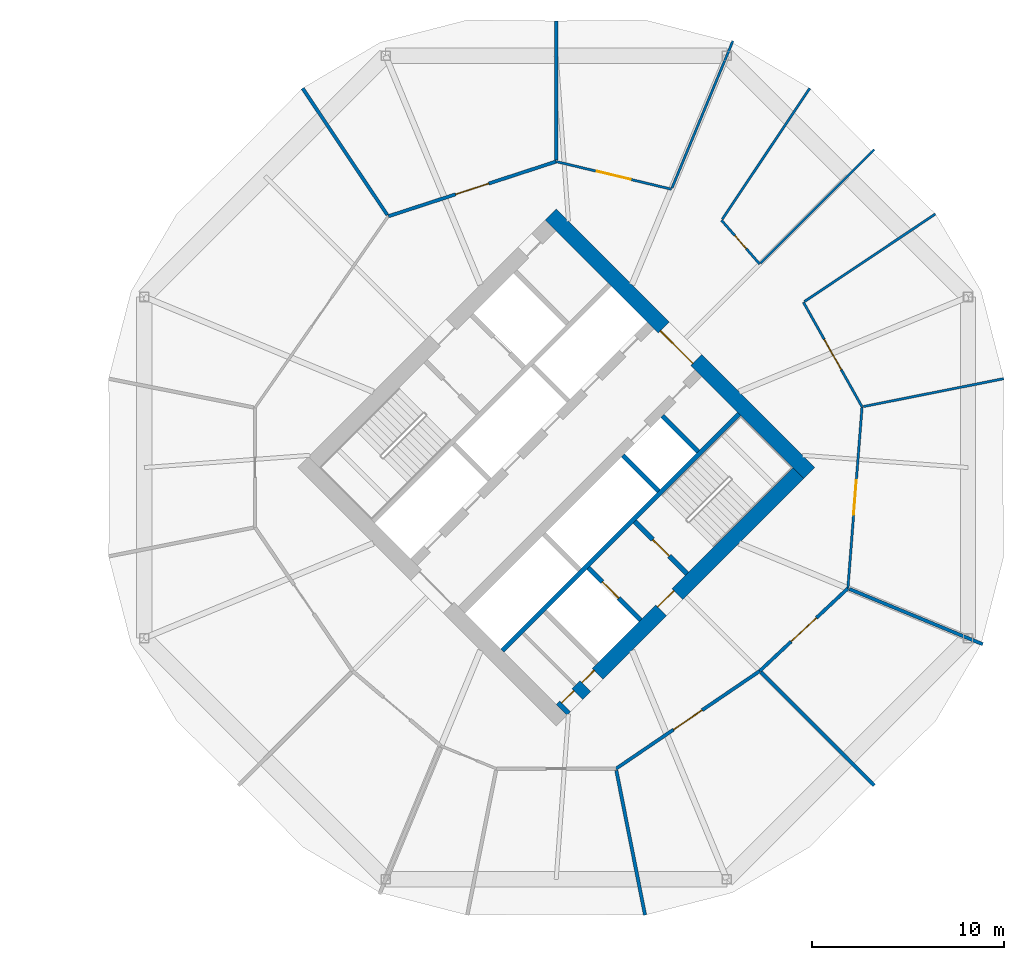
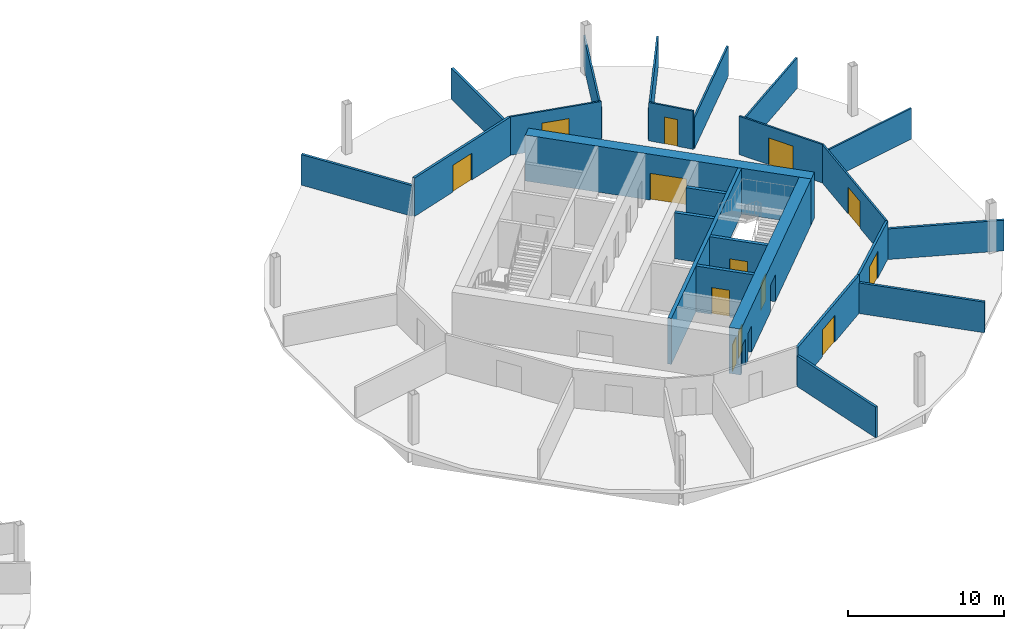
# One storey, part 8 of 10: 24 walls, 13 doors, 13 openings.
"""IFC4 building model written with IfcOpenShell, lengths in metres."""

from ifc_helpers import new_model, si_unit, direction, frame, frame_2d, origin, place, context, subcontext, project, spatial, rectangle, extrude, material, layer, layer_set, type_object, element, fill, save


model = new_model("IFC4")

# Units and contexts
model_context = context("Model", 3, precision=1e-05, world=origin(), true_north=direction((0.0, 1.0)))
body_context = subcontext(model_context, "Body", "Model", "MODEL_VIEW")
ifc_project = project(units=[si_unit("LENGTHUNIT", "METRE"), si_unit("AREAUNIT", "SQUARE_METRE"), si_unit("VOLUMEUNIT", "CUBIC_METRE"), si_unit("PLANEANGLEUNIT", "RADIAN"), si_unit("MASSUNIT", "GRAM", prefix="KILO")], contexts=[model_context])

# Site, building, storey
site_placement = place(None, origin())
site = spatial("IfcSite", under=ifc_project, at=site_placement, CompositionType="ELEMENT")
building_placement = place(site_placement, origin())
building = spatial("IfcBuilding", under=site, at=building_placement, Name="Ogive Gate Towers", CompositionType="ELEMENT")
storey_placement = place(building_placement, frame((0.0, 0.0, 103.5)))
storey = spatial("IfcBuildingStorey", under=building, at=storey_placement, Name="L24", CompositionType="ELEMENT", Elevation=103.5)

# Walls
ifc_material_1 = material(Name="Gypsum board acoustic partition")
ifc_layer_1 = layer(ifc_material_1, 0.175048828125)
ifc_layer_set_1 = layer_set([ifc_layer_1], Name="Acoustic partition 175")
wall_type_1 = type_object("IfcWallType", Name="Acoustic partition 175", PredefinedType="PARTITIONING", material=ifc_layer_set_1)
wall_1_placement = place(storey_placement, frame((36.0, 23.208984375, 0.0), z_axis=(0.0, 0.0, 1.0), x_axis=(0.0, -1.0, 0.0)))
element("IfcWall", 1, at=wall_1_placement, inside=storey, type_object=wall_type_1, Name="Partition T2-L24-006", PredefinedType="PARTITIONING", context=body_context, shape_type="SweptSolid", body=[
    extrude(rectangle(XDim=7.221435546875, YDim=0.175048828125, at=frame_2d((3.61083984375, 0.0))), origin(), (0.0, 0.0, 1.0), 2.39990234375),
])
wall_2_placement = place(storey_placement, frame((22.8212890625, 19.709716796875, 0.0), z_axis=(0.0, 0.0, 1.0), x_axis=(0.555845146473, -0.831285855252, 0.0)))
element("IfcWall", 2, at=wall_2_placement, inside=storey, type_object=wall_type_1, Name="Partition T2-L24-007", PredefinedType="PARTITIONING", context=body_context, shape_type="SweptSolid", body=[
    extrude(rectangle(XDim=7.918701171875, YDim=0.175048828125, at=frame_2d((3.95947265625, 0.0))), origin(), (0.0, 0.0, 1.0), 2.39990234375),
])
wall_3_placement = place(storey_placement, frame((40.6181640625, -23.25537109375, 0.0), z_axis=(0.0, 0.0, 1.0), x_axis=(-0.1947751492, 0.980847919534, 0.0)))
element("IfcWall", 3, at=wall_3_placement, inside=storey, type_object=wall_type_1, Name="Partition T2-L24-013", PredefinedType="PARTITIONING", context=body_context, shape_type="SweptSolid", body=[
    extrude(rectangle(XDim=7.668701171875, YDim=0.175048828125, at=frame_2d((3.83447265625, 0.0))), origin(), (0.0, 0.0, 1.0), 2.39990234375),
])
wall_4_placement = place(storey_placement, frame((52.521240234375, -16.521240234375, 0.0), z_axis=(0.0, 0.0, 1.0), x_axis=(-0.707106781187, 0.707106781187, 0.0)))
element("IfcWall", 4, at=wall_4_placement, inside=storey, type_object=wall_type_1, Name="Partition T2-L24-014", PredefinedType="PARTITIONING", context=body_context, shape_type="SweptSolid", body=[
    extrude(rectangle(XDim=8.323974609375, YDim=0.175048828125, at=frame_2d((4.162109375, 0.0))), origin(), (0.0, 0.0, 1.0), 2.39990234375),
])
wall_5_placement = place(storey_placement, frame((58.1669921875, -9.181884765625, 0.0), z_axis=(0.0, 0.0, 1.0), x_axis=(-0.923880784605, 0.382680409531, 0.0)))
element("IfcWall", 5, at=wall_5_placement, inside=storey, type_object=wall_type_1, Name="Partition T2-L24-015", PredefinedType="PARTITIONING", context=body_context, shape_type="SweptSolid", body=[
    extrude(rectangle(XDim=7.501953125, YDim=0.175048828125, at=frame_2d((3.7509765625, 0.0))), origin(), (0.0, 0.0, 1.0), 2.39990234375),
])

# Wall, opening, door
wall_6_placement = place(storey_placement, frame((36.0, 15.89990234375, 0.0), z_axis=(0.0, 0.0, 1.0), x_axis=(-0.950747558922, -0.309966254945, 0.0)))
wall_6 = element("IfcWall", 6, at=wall_6_placement, inside=storey, type_object=wall_type_1, Name="Partition T2-L24-018", PredefinedType="PARTITIONING", context=body_context, shape_type="SweptSolid", body=[
    extrude(rectangle(XDim=9.1806640625, YDim=0.175048828125, at=frame_2d((4.59033203125, 0.0))), origin(), (0.0, 0.0, 1.0), 3.010009765625),
])
opening_1_placement = place(wall_6_placement, frame((3.68994140625, 0.0, 0.0)))
opening_1 = element("IfcOpeningElement", 7, at=opening_1_placement, cuts=wall_6, Name="Opening T2-L24-D03", PredefinedType="OPENING", context=body_context, shape_type="SweptSolid", body=[
    extrude(rectangle(XDim=1.800048828125, YDim=2.10009765625, at=frame_2d((0.89990234375, 1.050048828125))), frame((0.0, 0.09765625, 0.0), z_axis=(0.0, -1.0, 0.0), x_axis=(1.0, 0.0, 0.0)), (0.0, 0.0, 1.0), 0.195068359375),
])
ifc_material_2 = material(Name="Timber door", Category="wood")
door_type_1 = type_object("IfcDoorType", Name="Door pair 1800", OperationType="NOTDEFINED", PredefinedType="DOOR", material=ifc_material_2)
door_1_placement = place(opening_1_placement, origin())
door_1 = element("IfcDoor", 8, at=door_1_placement, inside=storey, type_object=door_type_1, Name="Door T2-L24-D03", OperationType="DOUBLE_DOOR_DOUBLE_SWING", OverallHeight=2.10009765625, OverallWidth=1.800048828125, PredefinedType="DOOR", context=body_context, shape_type="SweptSolid", body=[
    extrude(rectangle(XDim=1.800048828125, YDim=2.10009765625, at=frame_2d((0.89990234375, 1.050048828125))), frame((0.0, 0.02490234375, 0.0), z_axis=(0.0, -1.0, 0.0), x_axis=(1.0, 0.0, 0.0)), (0.0, 0.0, 1.0), 0.050048828125),
])
fill(opening_1, door_1)

wall_7_placement = place(storey_placement, frame((39.107421875, -15.64794921875, 0.0), z_axis=(0.0, 0.0, 1.0), x_axis=(0.827053241882, 0.562123594144, 0.0)))
wall_7 = element("IfcWall", 9, at=wall_7_placement, inside=storey, type_object=wall_type_1, Name="Partition T2-L24-025", PredefinedType="PARTITIONING", context=body_context, shape_type="SweptSolid", body=[
    extrude(rectangle(XDim=9.02734375, YDim=0.175048828125, at=frame_2d((4.513671875, 0.0))), origin(), (0.0, 0.0, 1.0), 3.0),
])
opening_2_placement = place(wall_7_placement, frame((3.614013671875, 0.0, 0.0)))
opening_2 = element("IfcOpeningElement", 10, at=opening_2_placement, cuts=wall_7, Name="Opening T2-L24-D10", PredefinedType="OPENING", context=body_context, shape_type="SweptSolid", body=[
    extrude(rectangle(XDim=1.800048828125, YDim=2.10009765625, at=frame_2d((0.89990234375, 1.050048828125))), frame((0.0, 0.09765625, 0.0), z_axis=(0.0, -1.0, 0.0), x_axis=(1.0, 0.0, 0.0)), (0.0, 0.0, 1.0), 0.195068359375),
])
door_2_placement = place(opening_2_placement, origin())
door_2 = element("IfcDoor", 11, at=door_2_placement, inside=storey, type_object=door_type_1, Name="Door T2-L24-D10", OperationType="DOUBLE_DOOR_DOUBLE_SWING", OverallHeight=2.10009765625, OverallWidth=1.800048828125, PredefinedType="DOOR", context=body_context, shape_type="SweptSolid", body=[
    extrude(rectangle(XDim=1.800048828125, YDim=2.10009765625, at=frame_2d((0.89990234375, 1.050048828125))), frame((0.0, 0.02490234375, 0.0), z_axis=(0.0, -1.0, 0.0), x_axis=(1.0, 0.0, 0.0)), (0.0, 0.0, 1.0), 0.050048828125),
])
fill(opening_2, door_2)

wall_8_placement = place(storey_placement, frame((46.573486328125, -10.573486328125, 0.0), z_axis=(0.0, 0.0, 1.0), x_axis=(0.729499624655, 0.683981211458, 0.0)))
wall_8 = element("IfcWall", 12, at=wall_8_placement, inside=storey, type_object=wall_type_1, Name="Partition T2-L24-026", PredefinedType="PARTITIONING", context=body_context, shape_type="SweptSolid", body=[
    extrude(rectangle(XDim=6.28076171875, YDim=0.175048828125, at=frame_2d((3.140380859375, 0.0))), origin(), (0.0, 0.0, 1.0), 3.0),
])
opening_3_placement = place(wall_8_placement, frame((2.239990234375, 0.0, 0.0)))
opening_3 = element("IfcOpeningElement", 13, at=opening_3_placement, cuts=wall_8, Name="Opening T2-L24-D11", PredefinedType="OPENING", context=body_context, shape_type="SweptSolid", body=[
    extrude(rectangle(XDim=1.800048828125, YDim=2.10009765625, at=frame_2d((0.89990234375, 1.050048828125))), frame((0.0, 0.09765625, 0.0), z_axis=(0.0, -1.0, 0.0), x_axis=(1.0, 0.0, 0.0)), (0.0, 0.0, 1.0), 0.195068359375),
])
door_3_placement = place(opening_3_placement, origin())
door_3 = element("IfcDoor", 14, at=door_3_placement, inside=storey, type_object=door_type_1, Name="Door T2-L24-D11", OperationType="DOUBLE_DOOR_DOUBLE_SWING", OverallHeight=2.10009765625, OverallWidth=1.800048828125, PredefinedType="DOOR", context=body_context, shape_type="SweptSolid", body=[
    extrude(rectangle(XDim=1.800048828125, YDim=2.10009765625, at=frame_2d((0.89990234375, 1.050048828125))), frame((0.0, 0.02490234375, 0.0), z_axis=(0.0, -1.0, 0.0), x_axis=(1.0, 0.0, 0.0)), (0.0, 0.0, 1.0), 0.050048828125),
])
fill(opening_3, door_3)

# Wall, openings, doors
ifc_material_3 = material(Name="Concrete C60/75", Category="concrete")
ifc_layer_2 = layer(ifc_material_3, 0.800048828125)
ifc_layer_set_2 = layer_set([ifc_layer_2], Name="Core wall 800 mm")
wall_type_2 = type_object("IfcWallType", Name="Core wall 800 mm", PredefinedType="SHEAR", material=ifc_layer_set_2)
wall_9_placement = place(storey_placement, frame((36.28271484375, -12.58642578125, 0.0), z_axis=(0.0, 0.0, 1.0), x_axis=(0.707106781187, 0.707106781187, 0.0)))
wall_9 = element("IfcWall", 15, at=wall_9_placement, inside=storey, type_object=wall_type_2, Name="T2 L24 Core wall 800 mm", PredefinedType="SHEAR", context=body_context, shape_type="SweptSolid", body=[
    extrude(rectangle(XDim=17.400146484375, YDim=0.800048828125, at=frame_2d((8.7001953125, 0.0))), origin(), (0.0, 0.0, 1.0), 3.60009765625),
])
opening_4_placement = place(wall_9_placement, frame((7.300048828125, 0.0, 0.0)))
opening_4 = element("IfcOpeningElement", 16, at=opening_4_placement, cuts=wall_9, Name="Opening KD-T2-L24-16", PredefinedType="OPENING", context=body_context, shape_type="SweptSolid", body=[
    extrude(rectangle(XDim=1.199951171875, YDim=2.10009765625, at=frame_2d((0.60009765625, 1.050048828125))), frame((0.0, 0.41015625, 0.0), z_axis=(0.0, -1.0, 0.0), x_axis=(1.0, 0.0, 0.0)), (0.0, 0.0, 1.0), 0.820068359375),
])
opening_5_placement = place(wall_9_placement, frame((0.25, 0.0, 0.0)))
opening_5 = element("IfcOpeningElement", 17, at=opening_5_placement, cuts=wall_9, Name="Opening KD-T2-L24-18", PredefinedType="OPENING", context=body_context, shape_type="SweptSolid", body=[
    extrude(rectangle(XDim=0.89990234375, YDim=2.10009765625, at=frame_2d((0.449951171875, 1.050048828125))), frame((0.0, 0.41015625, 0.0), z_axis=(0.0, -1.0, 0.0), x_axis=(1.0, 0.0, 0.0)), (0.0, 0.0, 1.0), 0.820068359375),
])
opening_6_placement = place(wall_9_placement, frame((1.75, 0.0, 0.0)))
opening_6 = element("IfcOpeningElement", 18, at=opening_6_placement, cuts=wall_9, Name="Opening KD-T2-L24-19", PredefinedType="OPENING", context=body_context, shape_type="SweptSolid", body=[
    extrude(rectangle(XDim=0.89990234375, YDim=2.10009765625, at=frame_2d((0.449951171875, 1.050048828125))), frame((0.0, 0.41015625, 0.0), z_axis=(0.0, -1.0, 0.0), x_axis=(1.0, 0.0, 0.0)), (0.0, 0.0, 1.0), 0.820068359375),
])
door_type_2 = type_object("IfcDoorType", Name="Core WC door 900 x 2100", OperationType="NOTDEFINED", PredefinedType="DOOR", material=ifc_material_2)
door_4_placement = place(opening_5_placement, origin())
door_4 = element("IfcDoor", 19, at=door_4_placement, inside=storey, type_object=door_type_2, Name="T2 L24 Core door", OperationType="SINGLE_SWING_LEFT", OverallHeight=2.10009765625, OverallWidth=0.89990234375, PredefinedType="DOOR", context=body_context, shape_type="SweptSolid", body=[
    extrude(rectangle(XDim=0.89990234375, YDim=2.10009765625, at=frame_2d((0.449951171875, 1.050048828125))), frame((0.0, 0.27490234375, 0.0), z_axis=(0.0, -1.0, 0.0), x_axis=(1.0, 0.0, 0.0)), (0.0, 0.0, 1.0), 0.050048828125),
])
fill(opening_5, door_4)
door_5_placement = place(opening_6_placement, origin())
door_5 = element("IfcDoor", 20, at=door_5_placement, inside=storey, type_object=door_type_2, Name="T2 L24 Core door", OperationType="SINGLE_SWING_RIGHT", OverallHeight=2.10009765625, OverallWidth=0.89990234375, PredefinedType="DOOR", context=body_context, shape_type="SweptSolid", body=[
    extrude(rectangle(XDim=0.89990234375, YDim=2.10009765625, at=frame_2d((0.449951171875, 1.050048828125))), frame((0.0, 0.27490234375, 0.0), z_axis=(0.0, -1.0, 0.0), x_axis=(1.0, 0.0, 0.0)), (0.0, 0.0, 1.0), 0.050048828125),
])
fill(opening_6, door_5)
ifc_material_4 = material(Name="Steel fire door", Category="steel")
door_type_3 = type_object("IfcDoorType", Name="Core door FD60S 1200 x 2100", OperationType="NOTDEFINED", PredefinedType="DOOR", material=ifc_material_4)
door_6_placement = place(opening_4_placement, origin())
door_6 = element("IfcDoor", 21, at=door_6_placement, inside=storey, type_object=door_type_3, Name="T2 L24 Fire-fighting lobby door", OperationType="SINGLE_SWING_LEFT", OverallHeight=2.10009765625, OverallWidth=1.199951171875, PredefinedType="DOOR", context=body_context, shape_type="SweptSolid", body=[
    extrude(rectangle(XDim=1.199951171875, YDim=2.10009765625, at=frame_2d((0.60009765625, 1.050048828125))), frame((0.0, 0.27490234375, 0.0), z_axis=(0.0, -1.0, 0.0), x_axis=(1.0, 0.0, 0.0)), (0.0, 0.0, 1.0), 0.050048828125),
])
fill(opening_4, door_6)

# Wall, opening, door
wall_10_placement = place(storey_placement, frame((49.152099609375, -0.28271484375, 0.0), z_axis=(0.0, 0.0, 1.0), x_axis=(-0.707106781187, 0.707106781187, 0.0)))
wall_10 = element("IfcWall", 22, at=wall_10_placement, inside=storey, type_object=wall_type_2, Name="T2 L24 Core wall 800 mm", PredefinedType="SHEAR", context=body_context, shape_type="SweptSolid", body=[
    extrude(rectangle(XDim=18.999755859375, YDim=0.800048828125, at=frame_2d((9.5, 0.0))), origin(), (0.0, 0.0, 1.0), 3.60009765625),
])
opening_7_placement = place(wall_10_placement, frame((8.300048828125, 0.0, 0.0)))
opening_7 = element("IfcOpeningElement", 23, at=opening_7_placement, cuts=wall_10, Name="Opening KD-T2-L24-02", PredefinedType="OPENING", context=body_context, shape_type="SweptSolid", body=[
    extrude(rectangle(XDim=2.39990234375, YDim=2.10009765625, at=frame_2d((1.199951171875, 1.050048828125))), frame((0.0, 0.41015625, 0.0), z_axis=(0.0, -1.0, 0.0), x_axis=(1.0, 0.0, 0.0)), (0.0, 0.0, 1.0), 0.820068359375),
])
door_type_4 = type_object("IfcDoorType", Name="Core double door FD60S 2400 x 2100", OperationType="DOUBLE_DOOR_SINGLE_SWING", PredefinedType="DOOR", material=ifc_material_4)
door_7_placement = place(opening_7_placement, origin())
door_7 = element("IfcDoor", 24, at=door_7_placement, inside=storey, type_object=door_type_4, Name="T2 L24 Core door double", OperationType="DOUBLE_DOOR_SINGLE_SWING", OverallHeight=2.10009765625, OverallWidth=2.39990234375, PredefinedType="DOOR", context=body_context, shape_type="SweptSolid", body=[
    extrude(rectangle(XDim=2.39990234375, YDim=2.10009765625, at=frame_2d((1.199951171875, 1.050048828125))), frame((0.0, 0.27490234375, 0.0), z_axis=(0.0, -1.0, 0.0), x_axis=(1.0, 0.0, 0.0)), (0.0, 0.0, 1.0), 0.050048828125),
])
fill(opening_7, door_7)

# Walls
ifc_material_5 = material(Name="Gypsum board partition")
ifc_layer_3 = layer(ifc_material_5, 0.125)
ifc_layer_set_3 = layer_set([ifc_layer_3], Name="Partition 125")
wall_type_3 = type_object("IfcWallType", Name="Partition 125", PredefinedType="PARTITIONING", material=ifc_layer_set_3)
wall_11_placement = place(storey_placement, frame((59.25537109375, 4.6181640625, 0.0), z_axis=(0.0, 0.0, 1.0), x_axis=(-0.980844693546, -0.194791393913, 0.0)))
element("IfcWall", 25, at=wall_11_placement, inside=storey, type_object=wall_type_3, Name="Partition T2-L24-001", PredefinedType="PARTITIONING", context=body_context, shape_type="SweptSolid", body=[
    extrude(rectangle(XDim=7.443603515625, YDim=0.125, at=frame_2d((3.7216796875, 0.0))), origin(), (0.0, 0.0, 1.0), 2.39990234375),
])
wall_12_placement = place(storey_placement, frame((55.709716796875, 13.1787109375, 0.0), z_axis=(0.0, 0.0, 1.0), x_axis=(-0.831283969022, -0.555847967386, 0.0)))
element("IfcWall", 26, at=wall_12_placement, inside=storey, type_object=wall_type_3, Name="Partition T2-L24-002", PredefinedType="PARTITIONING", context=body_context, shape_type="SweptSolid", body=[
    extrude(rectangle(XDim=8.193603515625, YDim=0.125, at=frame_2d((4.0966796875, 0.0))), origin(), (0.0, 0.0, 1.0), 2.39990234375),
])
wall_13_placement = place(storey_placement, frame((52.521240234375, 16.521240234375, 0.0), z_axis=(0.0, 0.0, 1.0), x_axis=(-0.707106781187, -0.707106781187, 0.0)))
element("IfcWall", 27, at=wall_13_placement, inside=storey, type_object=wall_type_3, Name="Partition T2-L24-003", PredefinedType="PARTITIONING", context=body_context, shape_type="SweptSolid", body=[
    extrude(rectangle(XDim=8.348876953125, YDim=0.125, at=frame_2d((4.17431640625, 0.0))), origin(), (0.0, 0.0, 1.0), 2.39990234375),
])
wall_14_placement = place(storey_placement, frame((49.1787109375, 19.709716796875, 0.0), z_axis=(0.0, 0.0, 1.0), x_axis=(-0.555847967386, -0.831283969022, 0.0)))
element("IfcWall", 28, at=wall_14_placement, inside=storey, type_object=wall_type_3, Name="Partition T2-L24-004", PredefinedType="PARTITIONING", context=body_context, shape_type="SweptSolid", body=[
    extrude(rectangle(XDim=8.193603515625, YDim=0.125, at=frame_2d((4.0966796875, 0.0))), origin(), (0.0, 0.0, 1.0), 2.39990234375),
])
wall_15_placement = place(storey_placement, frame((45.181884765625, 22.1669921875, 0.0), z_axis=(0.0, 0.0, 1.0), x_axis=(-0.382683502843, -0.923879503318, 0.0)))
element("IfcWall", 29, at=wall_15_placement, inside=storey, type_object=wall_type_3, Name="Partition T2-L24-005", PredefinedType="PARTITIONING", context=body_context, shape_type="SweptSolid", body=[
    extrude(rectangle(XDim=8.277099609375, YDim=0.125, at=frame_2d((4.138671875, 0.0))), origin(), (0.0, 0.0, 1.0), 2.39990234375),
])

# Wall, opening, door
wall_16_placement = place(storey_placement, frame((46.573486328125, 10.573486328125, 0.0), z_axis=(0.0, 0.0, 1.0), x_axis=(-0.657576005144, 0.753388211653, 0.0)))
wall_16 = element("IfcWall", 30, at=wall_16_placement, inside=storey, type_object=wall_type_3, Name="Partition T2-L24-016", PredefinedType="PARTITIONING", context=body_context, shape_type="SweptSolid", body=[
    extrude(rectangle(XDim=3.01708984375, YDim=0.125, at=frame_2d((1.508544921875, 0.0))), origin(), (0.0, 0.0, 1.0), 3.0),
])
opening_8_placement = place(wall_16_placement, frame((1.05810546875, 0.0, 0.0)))
opening_8 = element("IfcOpeningElement", 31, at=opening_8_placement, cuts=wall_16, Name="Opening T2-L24-D01", PredefinedType="OPENING", context=body_context, shape_type="SweptSolid", body=[
    extrude(rectangle(XDim=0.89990234375, YDim=2.10009765625, at=frame_2d((0.449951171875, 1.050048828125))), frame((0.0, 0.072509765625, 0.0), z_axis=(0.0, -1.0, 0.0), x_axis=(1.0, 0.0, 0.0)), (0.0, 0.0, 1.0), 0.14501953125),
])
door_type_5 = type_object("IfcDoorType", Name="Door 900", OperationType="NOTDEFINED", PredefinedType="DOOR", material=ifc_material_2)
door_8_placement = place(opening_8_placement, origin())
door_8 = element("IfcDoor", 32, at=door_8_placement, inside=storey, type_object=door_type_5, Name="Door T2-L24-D01", OperationType="SINGLE_SWING_LEFT", OverallHeight=2.10009765625, OverallWidth=0.89990234375, PredefinedType="DOOR", context=body_context, shape_type="SweptSolid", body=[
    extrude(rectangle(XDim=0.89990234375, YDim=2.10009765625, at=frame_2d((0.449951171875, 1.050048828125))), frame((0.0, 0.02490234375, 0.0), z_axis=(0.0, -1.0, 0.0), x_axis=(1.0, 0.0, 0.0)), (0.0, 0.0, 1.0), 0.050048828125),
])
fill(opening_8, door_8)

wall_17_placement = place(storey_placement, frame((41.990478515625, 14.46240234375, 0.0), z_axis=(0.0, 0.0, 1.0), x_axis=(-0.972395215381, 0.23333997751, 0.0)))
wall_17 = element("IfcWall", 33, at=wall_17_placement, inside=storey, type_object=wall_type_3, Name="Partition T2-L24-017", PredefinedType="PARTITIONING", context=body_context, shape_type="SweptSolid", body=[
    extrude(rectangle(XDim=6.16064453125, YDim=0.125, at=frame_2d((3.080322265625, 0.0))), origin(), (0.0, 0.0, 1.0), 3.010009765625),
])
opening_9_placement = place(wall_17_placement, frame((2.179931640625, 0.0, 0.0)))
opening_9 = element("IfcOpeningElement", 34, at=opening_9_placement, cuts=wall_17, Name="Opening T2-L24-D02", PredefinedType="OPENING", context=body_context, shape_type="SweptSolid", body=[
    extrude(rectangle(XDim=1.800048828125, YDim=2.10009765625, at=frame_2d((0.89990234375, 1.050048828125))), frame((0.0, 0.072509765625, 0.0), z_axis=(0.0, -1.0, 0.0), x_axis=(1.0, 0.0, 0.0)), (0.0, 0.0, 1.0), 0.14501953125),
])
door_9_placement = place(opening_9_placement, origin())
door_9 = element("IfcDoor", 35, at=door_9_placement, inside=storey, type_object=door_type_1, Name="Door T2-L24-D02", OperationType="DOUBLE_DOOR_DOUBLE_SWING", OverallHeight=2.10009765625, OverallWidth=1.800048828125, PredefinedType="DOOR", context=body_context, shape_type="SweptSolid", body=[
    extrude(rectangle(XDim=1.800048828125, YDim=2.10009765625, at=frame_2d((0.89990234375, 1.050048828125))), frame((0.0, 0.02490234375, 0.0), z_axis=(0.0, -1.0, 0.0), x_axis=(1.0, 0.0, 0.0)), (0.0, 0.0, 1.0), 0.050048828125),
])
fill(opening_9, door_9)

wall_18_placement = place(storey_placement, frame((51.1552734375, -6.277587890625, 0.0), z_axis=(0.0, 0.0, 1.0), x_axis=(0.077971011993, 0.99695562654, 0.0)))
wall_18 = element("IfcWall", 36, at=wall_18_placement, inside=storey, type_object=wall_type_3, Name="Partition T2-L24-027", PredefinedType="PARTITIONING", context=body_context, shape_type="SweptSolid", body=[
    extrude(rectangle(XDim=9.46240234375, YDim=0.125, at=frame_2d((4.731201171875, 0.0))), origin(), (0.0, 0.0, 1.0), 3.010009765625),
])
opening_10_placement = place(wall_18_placement, frame((3.8310546875, 0.0, 0.0)))
opening_10 = element("IfcOpeningElement", 37, at=opening_10_placement, cuts=wall_18, Name="Opening T2-L24-D12", PredefinedType="OPENING", context=body_context, shape_type="SweptSolid", body=[
    extrude(rectangle(XDim=1.800048828125, YDim=2.10009765625, at=frame_2d((0.89990234375, 1.050048828125))), frame((0.0, 0.072509765625, 0.0), z_axis=(0.0, -1.0, 0.0), x_axis=(1.0, 0.0, 0.0)), (0.0, 0.0, 1.0), 0.14501953125),
])
door_10_placement = place(opening_10_placement, origin())
door_10 = element("IfcDoor", 38, at=door_10_placement, inside=storey, type_object=door_type_1, Name="Door T2-L24-D12", OperationType="DOUBLE_DOOR_DOUBLE_SWING", OverallHeight=2.10009765625, OverallWidth=1.800048828125, PredefinedType="DOOR", context=body_context, shape_type="SweptSolid", body=[
    extrude(rectangle(XDim=1.800048828125, YDim=2.10009765625, at=frame_2d((0.89990234375, 1.050048828125))), frame((0.0, 0.02490234375, 0.0), z_axis=(0.0, -1.0, 0.0), x_axis=(1.0, 0.0, 0.0)), (0.0, 0.0, 1.0), 0.050048828125),
])
fill(opening_10, door_10)

wall_19_placement = place(storey_placement, frame((51.89306640625, 3.156005859375, 0.0), z_axis=(0.0, 0.0, 1.0), x_axis=(-0.489069920592, 0.872244583114, 0.0)))
wall_19 = element("IfcWall", 39, at=wall_19_placement, inside=storey, type_object=wall_type_3, Name="Partition T2-L24-028", PredefinedType="PARTITIONING", context=body_context, shape_type="SweptSolid", body=[
    extrude(rectangle(XDim=6.2294921875, YDim=0.125, at=frame_2d((3.11474609375, 0.0))), origin(), (0.0, 0.0, 1.0), 3.010009765625),
])
opening_11_placement = place(wall_19_placement, frame((2.215087890625, 0.0, 0.0)))
opening_11 = element("IfcOpeningElement", 40, at=opening_11_placement, cuts=wall_19, Name="Opening T2-L24-D13", PredefinedType="OPENING", context=body_context, shape_type="SweptSolid", body=[
    extrude(rectangle(XDim=1.800048828125, YDim=2.10009765625, at=frame_2d((0.89990234375, 1.050048828125))), frame((0.0, 0.072509765625, 0.0), z_axis=(0.0, -1.0, 0.0), x_axis=(1.0, 0.0, 0.0)), (0.0, 0.0, 1.0), 0.14501953125),
])
door_11_placement = place(opening_11_placement, origin())
door_11 = element("IfcDoor", 41, at=door_11_placement, inside=storey, type_object=door_type_1, Name="Door T2-L24-D13", OperationType="DOUBLE_DOOR_DOUBLE_SWING", OverallHeight=2.10009765625, OverallWidth=1.800048828125, PredefinedType="DOOR", context=body_context, shape_type="SweptSolid", body=[
    extrude(rectangle(XDim=1.800048828125, YDim=2.10009765625, at=frame_2d((0.89990234375, 1.050048828125))), frame((0.0, 0.02490234375, 0.0), z_axis=(0.0, -1.0, 0.0), x_axis=(1.0, 0.0, 0.0)), (0.0, 0.0, 1.0), 0.050048828125),
])
fill(opening_11, door_11)

# Wall
ifc_layer_4 = layer(ifc_material_3, 0.25)
ifc_layer_set_4 = layer_set([ifc_layer_4], Name="Shaft wall 250 mm")
wall_type_4 = type_object("IfcWallType", Name="Shaft wall 250 mm", PredefinedType="SHEAR", material=ifc_layer_set_4)
wall_20_placement = place(storey_placement, frame((33.206787109375, -9.510498046875, 0.0), z_axis=(0.0, 0.0, 1.0), x_axis=(0.707106781187, 0.707106781187, 0.0)))
element("IfcWall", 42, at=wall_20_placement, inside=storey, type_object=wall_type_4, Name="T2 L24 Shaft wall 250 mm", PredefinedType="SHEAR", context=body_context, shape_type="SweptSolid", body=[
    extrude(rectangle(XDim=17.400146484375, YDim=0.25, at=frame_2d((8.7001953125, 0.0))), origin(), (0.0, 0.0, 1.0), 3.60009765625),
])

# Wall, opening, door
wall_21_placement = place(storey_placement, frame((40.384033203125, -7.919677734375, 0.0), z_axis=(0.0, 0.0, 1.0), x_axis=(-0.707074866995, 0.707138693938, 0.0)))
wall_21 = element("IfcWall", 43, at=wall_21_placement, inside=storey, type_object=wall_type_4, Name="T2 L24 Shaft wall 250 mm", PredefinedType="SHEAR", context=body_context, shape_type="SweptSolid", body=[
    extrude(rectangle(XDim=3.824951171875, YDim=0.25, at=frame_2d((1.91259765625, 0.0))), origin(), (0.0, 0.0, 1.0), 3.60009765625),
])
opening_12_placement = place(wall_21_placement, frame((1.60009765625, 0.0, 0.0)))
opening_12 = element("IfcOpeningElement", 44, at=opening_12_placement, cuts=wall_21, Name="Opening LD-T2-L24-11", PredefinedType="OPENING", context=body_context, shape_type="SweptSolid", body=[
    extrude(rectangle(XDim=1.199951171875, YDim=2.10009765625, at=frame_2d((0.60009765625, 1.050048828125))), frame((0.0, 0.135009765625, 0.0), z_axis=(0.0, -1.0, 0.0), x_axis=(1.0, 0.0, 0.0)), (0.0, 0.0, 1.0), 0.27001953125),
])
ifc_material_6 = material(Name="Stainless steel landing door", Category="steel")
door_type_6 = type_object("IfcDoorType", Name="Landing door 1200 x 2100", OperationType="SLIDING_TO_LEFT", PredefinedType="DOOR", material=ifc_material_6)
door_12_placement = place(opening_12_placement, origin())
door_12 = element("IfcDoor", 45, at=door_12_placement, inside=storey, type_object=door_type_6, Name="T2 L24 Lift landing door FF2", OperationType="SLIDING_TO_LEFT", OverallHeight=2.10009765625, OverallWidth=1.199951171875, PredefinedType="DOOR", context=body_context, shape_type="SweptSolid", body=[
    extrude(rectangle(XDim=1.199951171875, YDim=2.10009765625, at=frame_2d((0.60009765625, 1.050048828125))), frame((0.0, 0.02490234375, 0.0), z_axis=(0.0, -1.0, 0.0), x_axis=(1.0, 0.0, 0.0)), (0.0, 0.0, 1.0), 0.050048828125),
])
fill(opening_12, door_12)

wall_22_placement = place(storey_placement, frame((42.7880859375, -5.515380859375, 0.0), z_axis=(0.0, 0.0, 1.0), x_axis=(-0.707106781187, 0.707106781187, 0.0)))
wall_22 = element("IfcWall", 46, at=wall_22_placement, inside=storey, type_object=wall_type_4, Name="T2 L24 Shaft wall 250 mm", PredefinedType="SHEAR", context=body_context, shape_type="SweptSolid", body=[
    extrude(rectangle(XDim=3.824951171875, YDim=0.25, at=frame_2d((1.91259765625, 0.0))), origin(), (0.0, 0.0, 1.0), 3.60009765625),
])
opening_13_placement = place(wall_22_placement, frame((1.300048828125, 0.0, 0.0)))
opening_13 = element("IfcOpeningElement", 47, at=opening_13_placement, cuts=wall_22, Name="Opening KD-T2-L24-14", PredefinedType="OPENING", context=body_context, shape_type="SweptSolid", body=[
    extrude(rectangle(XDim=1.199951171875, YDim=2.10009765625, at=frame_2d((0.60009765625, 1.050048828125))), frame((0.0, 0.135009765625, 0.0), z_axis=(0.0, -1.0, 0.0), x_axis=(1.0, 0.0, 0.0)), (0.0, 0.0, 1.0), 0.27001953125),
])
door_13_placement = place(opening_13_placement, origin())
door_13 = element("IfcDoor", 48, at=door_13_placement, inside=storey, type_object=door_type_3, Name="T2 L24 Stair door", OperationType="SINGLE_SWING_LEFT", OverallHeight=2.10009765625, OverallWidth=1.199951171875, PredefinedType="DOOR", context=body_context, shape_type="SweptSolid", body=[
    extrude(rectangle(XDim=1.199951171875, YDim=2.10009765625, at=frame_2d((0.60009765625, 1.050048828125))), frame((0.0, 0.02490234375, 0.0), z_axis=(0.0, -1.0, 0.0), x_axis=(1.0, 0.0, 0.0)), (0.0, 0.0, 1.0), 0.050048828125),
])
fill(opening_13, door_13)

# Walls
for number, where, z_axis, x_axis, name in (
    (49, (41.321044921875, -1.2197265625, 0.0), (0.0, 0.0, 1.0), (-0.707106781187, 0.707106781187, 0.0), "T2 L24 Shaft wall 250 mm"),
    (50, (43.37158203125, 0.830810546875, 0.0), (0.0, 0.0, 1.0), (-0.707106781187, 0.707106781187, 0.0), "T2 L24 Shaft wall 250 mm"),
):
    element("IfcWall", number, at=place(storey_placement, frame(where, z_axis=z_axis, x_axis=x_axis)), inside=storey, type_object=wall_type_4, Name=name, PredefinedType="SHEAR", context=body_context, shape_type="SweptSolid", body=[
        extrude(rectangle(XDim=2.625, YDim=0.25, at=frame_2d((1.3125, 0.0))), origin(), (0.0, 0.0, 1.0), 3.60009765625),
    ])

save(model, "model.ifc")
